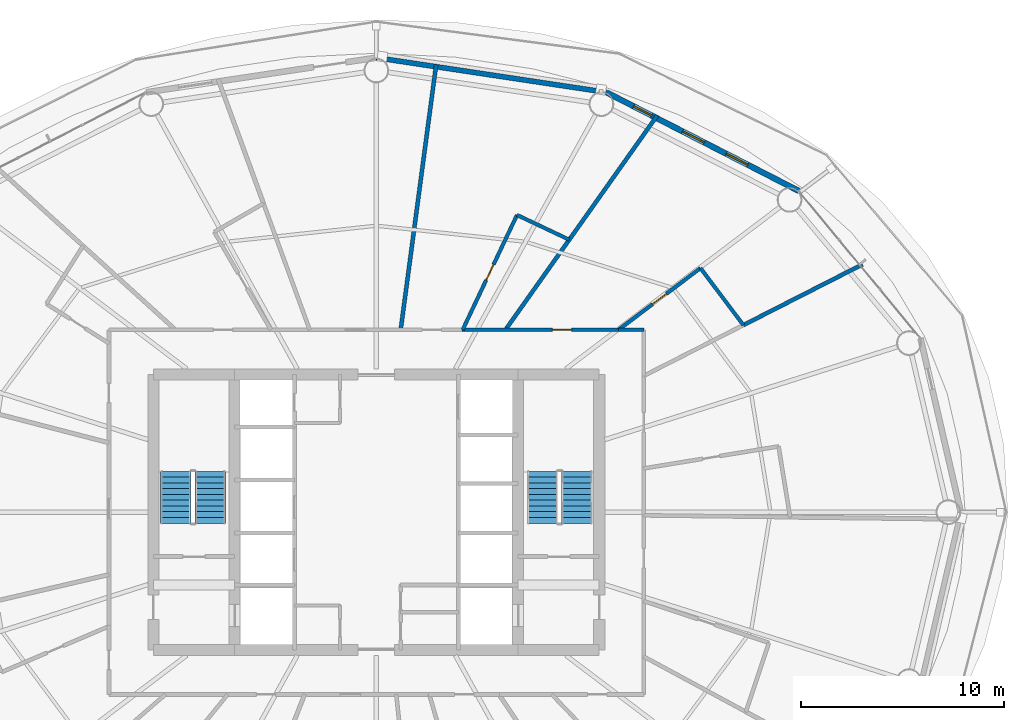
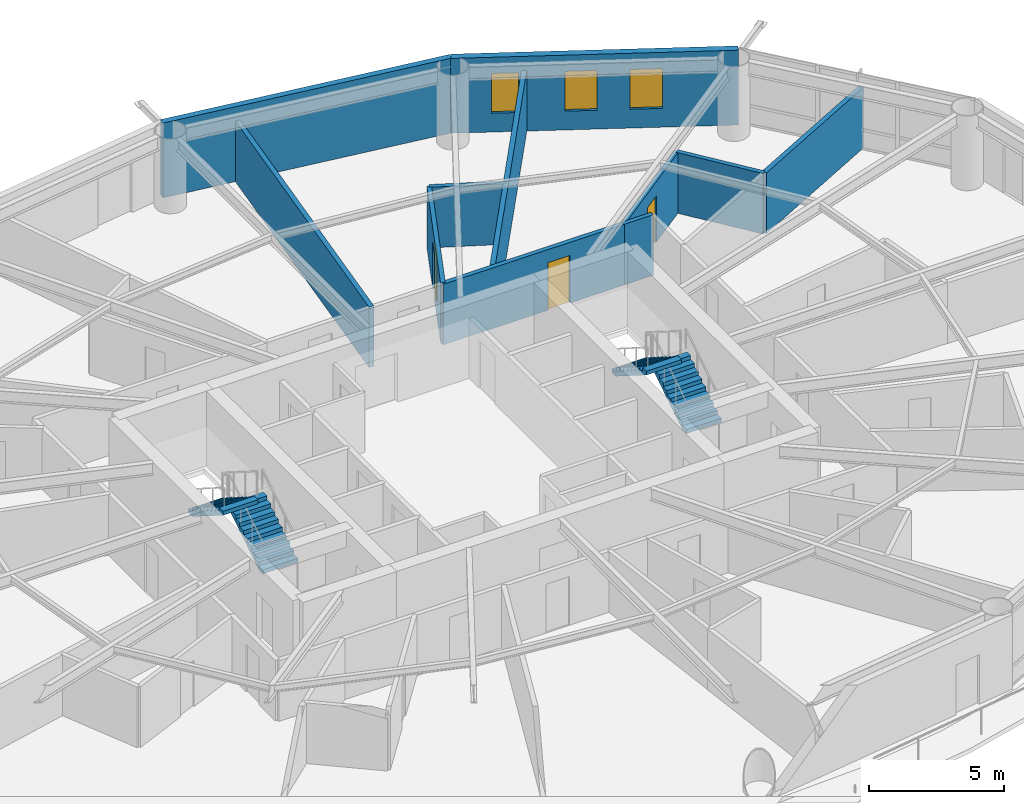
# One storey, part 21 of 24: 11 walls, 4 stair flights, 3 doors, 3 windows, 6 openings, 2 elements without a shape of their own.
"""IFC4 building model written with IfcOpenShell, lengths in metres."""

import ifcopenshell
import ifcopenshell.guid

model = None  # the IFC model being written
_history = None  # IfcOwnerHistory: only IFC2X3 demands one
_inside = {}  # id of a spatial element -> (the spatial element, [elements in it])
_under = {}  # id of a project, library or spatial element -> (it, [spatial elements below it])
_declared = {}  # id of a project -> (the project, [libraries it declares])
_typed = {}  # id of a type object -> (the type object, [elements of that type])
_made_of = {}  # id of a material, layer set ... -> (it, [elements and type objects made of it])


def new_model(schema):
    """Start an empty IFC model of exactly this schema.

    Asked for "IFC4X3", IfcOpenShell would pick the latest addendum, in which some entities
    have other attributes; the version numbers below select the first issue.
    IFC2X3 requires an IfcOwnerHistory on every rooted entity: one is made here for all.
    """
    global model, _history
    if schema == "IFC4X3":
        model = ifcopenshell.file(schema_version=(4, 3, 0, 0))
    else:
        model = ifcopenshell.file(schema=schema)
    _inside.clear()
    _under.clear()
    _declared.clear()
    _typed.clear()
    _made_of.clear()
    _history = None
    if model.schema == "IFC2X3":
        org = make("IfcOrganization", Name="unknown")
        user = make(
            "IfcPersonAndOrganization",
            ThePerson=make("IfcPerson", FamilyName="unknown"),
            TheOrganization=org,
        )
        app = make(
            "IfcApplication",
            ApplicationDeveloper=org,
            Version="unknown",
            ApplicationFullName="unknown",
            ApplicationIdentifier="unknown",
        )
        _history = make(
            "IfcOwnerHistory",
            OwningUser=user,
            OwningApplication=app,
            ChangeAction="ADDED",
            CreationDate=0,
        )
    return model


def make(cls, **values):
    """One entity of the class cls with the attributes given. An attribute that is None is left unset."""
    return model.create_entity(
        cls, **{name: value for name, value in values.items() if value is not None}
    )


def rooted(cls, **values):
    """An entity with a GlobalId (a new one), such as an element, a storey or a relation."""
    return make(cls, GlobalId=ifcopenshell.guid.new(), OwnerHistory=_history, **values)


def si_unit(unit_type, name, prefix=None):
    """IfcSIUnit, for example si_unit("LENGTHUNIT", "METRE", prefix="MILLI")."""
    return make("IfcSIUnit", UnitType=unit_type, Prefix=prefix, Name=name)


def assignment(units):
    """IfcUnitAssignment: the units of a project."""
    return None if units is None else make("IfcUnitAssignment", Units=units)


def point(xyz):
    """IfcCartesianPoint."""
    return None if xyz is None else make("IfcCartesianPoint", Coordinates=xyz)


def direction(xyz):
    """IfcDirection."""
    return None if xyz is None else make("IfcDirection", DirectionRatios=xyz)


def frame(location, z_axis=None, x_axis=None):
    """IfcAxis2Placement3D, a coordinate frame: its origin and axes. An axis left out is left unset."""
    return make(
        "IfcAxis2Placement3D",
        Location=point(location),
        Axis=direction(z_axis),
        RefDirection=direction(x_axis),
    )


def frame_2d(location, x_axis=None):
    """IfcAxis2Placement2D, a coordinate frame in the plane: its origin and x axis."""
    return make(
        "IfcAxis2Placement2D", Location=point(location), RefDirection=direction(x_axis)
    )


def origin():
    """The frame at (0, 0, 0) with its axes left unset."""
    return frame((0.0, 0.0, 0.0))


def place(relative_to, where):
    """IfcLocalPlacement: puts the frame where relative to a parent placement (None: the world)."""
    return make(
        "IfcLocalPlacement", PlacementRelTo=relative_to, RelativePlacement=where
    )


def context(
    kind, dimensions, precision=None, world=None, true_north=None, identifier=None
):
    """IfcGeometricRepresentationContext, for example the 3D "Model" context."""
    return make(
        "IfcGeometricRepresentationContext",
        ContextIdentifier=identifier,
        ContextType=kind,
        CoordinateSpaceDimension=dimensions,
        Precision=precision,
        WorldCoordinateSystem=world,
        TrueNorth=true_north,
    )


def subcontext(parent, identifier, kind, view, scale=None):
    """IfcGeometricRepresentationSubContext, for example "Body" below "Model"."""
    return make(
        "IfcGeometricRepresentationSubContext",
        ContextIdentifier=identifier,
        ContextType=kind,
        ParentContext=parent,
        TargetScale=scale,
        TargetView=view,
    )


def project(units=None, contexts=None):
    """IfcProject with its units and contexts."""
    return rooted(
        "IfcProject",
        Name="project",
        RepresentationContexts=contexts,
        UnitsInContext=assignment(units),
    )


def spatial(cls, under=None, at=None, **own):
    """A site, building, storey or space (cls), placed at a placement, below another one or the project."""
    s = rooted(cls, ObjectPlacement=at, **own)
    if under is not None:
        _under.setdefault(under.id(), (under, []))[1].append(s)
    return s


def polyline(points):
    """IfcPolyline through the points."""
    return make("IfcPolyline", Points=[point(p) for p in points])


def profile(cls, at=None, kind="AREA", **sizes):
    """A parametric profile (cls). Its sizes go by their IFC names, for example OverallWidth=200.0."""
    return make(cls, ProfileType=kind, Position=at, **sizes)


def rectangle(**sizes):
    """IfcRectangleProfileDef."""
    return profile("IfcRectangleProfileDef", **sizes)


def outline(outer, holes=None, kind="AREA"):
    """IfcArbitraryClosedProfileDef: a profile drawn as a closed curve; with holes, ...WithVoids."""
    if holes is None:
        return make("IfcArbitraryClosedProfileDef", ProfileType=kind, OuterCurve=outer)
    return make(
        "IfcArbitraryProfileDefWithVoids",
        ProfileType=kind,
        OuterCurve=outer,
        InnerCurves=holes,
    )


def extrude(swept, where, along, depth):
    """IfcExtrudedAreaSolid: the profile swept, set in the frame where, extruded along a direction by depth."""
    return make(
        "IfcExtrudedAreaSolid",
        SweptArea=swept,
        Position=where,
        ExtrudedDirection=direction(along),
        Depth=depth,
    )


def shape(context_of_items, identifier, shape_type, items):
    """IfcShapeRepresentation: the items that make up one representation, for example the "Body"."""
    return make(
        "IfcShapeRepresentation",
        ContextOfItems=context_of_items,
        RepresentationIdentifier=identifier,
        RepresentationType=shape_type,
        Items=items,
    )


def material(Name=None, Category=None):
    """IfcMaterial."""
    return make("IfcMaterial", Name=Name, Category=Category)


def layer(
    of_material, thickness, ventilated=None, Name=None, Category=None, Priority=None
):
    """IfcMaterialLayer: one layer of a wall or slab, of a material (None: an air gap)."""
    return make(
        "IfcMaterialLayer",
        Material=of_material,
        LayerThickness=thickness,
        IsVentilated=ventilated,
        Name=Name,
        Category=Category,
        Priority=Priority,
    )


def layer_set(layers, Name=None):
    """IfcMaterialLayerSet."""
    return make("IfcMaterialLayerSet", MaterialLayers=layers, LayerSetName=Name)


def made_of(thing, what):
    """Note that an element or type object is made of a material, layer set ...; save() writes the relation."""
    if what is not None:
        _made_of.setdefault(what.id(), (what, []))[1].append(thing)
    return thing


def type_object(cls, material=None, **own):
    """A type object (cls), such as IfcWallType, which elements share."""
    return made_of(rooted(cls, **own), material)


def element(
    cls,
    number,
    at=None,
    inside=None,
    cuts=None,
    type_object=None,
    material=None,
    context=None,
    identifier="Body",
    shape_type=None,
    held_by="IfcProductDefinitionShape",
    body=None,
    shapes=None,
    **own,
):
    """One element of the class cls, such as IfcWall. Its Tag is "e" and its number.

    at: its placement. inside: the storey or other place that contains it. cuts: it is an
    opening in that element (IfcRelVoidsElement). A single representation is given by context,
    identifier, shape_type and body (its items); several are given by shapes. held_by: the class
    of the entity that holds the representations. save() writes the other relations.
    """
    e = rooted(cls, Tag="e%d" % number, ObjectPlacement=at, **own)
    if body is not None:
        shapes = [shape(context, identifier, shape_type, body)]
    if shapes is not None:
        e.Representation = make(held_by, Representations=shapes)
    if inside is not None:
        _inside.setdefault(inside.id(), (inside, []))[1].append(e)
    if cuts is not None:
        rooted(
            "IfcRelVoidsElement", RelatingBuildingElement=cuts, RelatedOpeningElement=e
        )
    if type_object is not None:
        _typed.setdefault(type_object.id(), (type_object, []))[1].append(e)
    return made_of(e, material)


def fill(opening, filler):
    """IfcRelFillsElement: the door or window that sits in an opening."""
    return rooted(
        "IfcRelFillsElement",
        RelatingOpeningElement=opening,
        RelatedBuildingElement=filler,
    )


def aggregate(whole, parts):
    """IfcRelAggregates: a whole, such as a stair, and the parts it consists of."""
    return rooted("IfcRelAggregates", RelatingObject=whole, RelatedObjects=parts)


def save(model, path):
    """Write the relations noted so far, then the file.

    IfcRelAggregates (storeys below a building ...), IfcRelContainedInSpatialStructure (elements
    in a storey), IfcRelDefinesByType, IfcRelAssociatesMaterial and IfcRelDeclares: one each for
    every whole, place, type object, material and project.
    """
    for whole, parts in _under.values():
        aggregate(whole, parts)
    for where, things in _inside.values():
        rooted(
            "IfcRelContainedInSpatialStructure",
            RelatedElements=things,
            RelatingStructure=where,
        )
    for kind, things in _typed.values():
        rooted("IfcRelDefinesByType", RelatedObjects=things, RelatingType=kind)
    for what, things in _made_of.values():
        rooted("IfcRelAssociatesMaterial", RelatedObjects=things, RelatingMaterial=what)
    for by, libraries in _declared.values():
        rooted("IfcRelDeclares", RelatingContext=by, RelatedDefinitions=libraries)
    model.write(path)


model = new_model("IFC4")

# Units and contexts
model_context = context("Model", 3, precision=1e-05, world=origin(), true_north=direction((0.0, 1.0)))
body_context = subcontext(model_context, "Body", "Model", "MODEL_VIEW")
ifc_project = project(units=[si_unit("LENGTHUNIT", "METRE"), si_unit("AREAUNIT", "SQUARE_METRE"), si_unit("VOLUMEUNIT", "CUBIC_METRE"), si_unit("PLANEANGLEUNIT", "RADIAN"), si_unit("MASSUNIT", "GRAM", prefix="KILO")], contexts=[model_context])

# Site, building, storey
site_placement = place(None, origin())
site = spatial("IfcSite", under=ifc_project, at=site_placement, CompositionType="ELEMENT")
building_placement = place(site_placement, origin())
building = spatial("IfcBuilding", under=site, at=building_placement, Name="Sarneth Arch Tower", CompositionType="ELEMENT")
storey_placement = place(building_placement, frame((0.0, 0.0, 109.199951171875)))
storey = spatial("IfcBuildingStorey", under=building, at=storey_placement, Name="L27", CompositionType="ELEMENT", Elevation=109.199951171875)

# Wall, opening, door
ifc_material_1 = material(Name="Double steel-stud corridor fire wall", Category="steel")
ifc_layer_1 = layer(ifc_material_1, 0.18994140625)
ifc_layer_set_1 = layer_set([ifc_layer_1], Name="Double steel-stud corridor fire wall")
wall_type_1 = type_object("IfcWallType", Name="WALL-CORR-190", PredefinedType="PARTITIONING", material=ifc_layer_set_1)
wall_1_placement = place(storey_placement, frame((59.956787109375, 51.0, 0.0), z_axis=(0.0, 0.0, 1.0), x_axis=(-1.0, 0.0, 0.0)))
wall_1 = element("IfcWall", 1, at=wall_1_placement, inside=storey, type_object=wall_type_1, Name="L27 Interior partition W-L27-TP-001", PredefinedType="PARTITIONING", context=body_context, shape_type="SweptSolid", body=[
    extrude(rectangle(XDim=7.73046875, YDim=0.18994140625, at=frame_2d((3.865234375, 0.0))), origin(), (0.0, 0.0, 1.0), 2.739990234375),
])
opening_1_placement = place(wall_1_placement, frame((2.31640625, 0.0, 0.0)))
opening_1 = element("IfcOpeningElement", 2, at=opening_1_placement, cuts=wall_1, Name="Opening FD-09", PredefinedType="OPENING", context=body_context, shape_type="SweptSolid", body=[
    extrude(rectangle(XDim=0.949951171875, YDim=2.14990234375, at=frame_2d((0.47509765625, 1.074951171875))), frame((0.0, 0.10498046875, 0.0), z_axis=(0.0, -1.0, 0.0), x_axis=(1.0, 0.0, 0.0)), (0.0, 0.0, 1.0), 0.2099609375),
])
ifc_material_2 = material(Name="Hardwood timber hotel entrance fire door", Category="wood")
door_type_1 = type_object("IfcDoorType", Name="DR-FD60-950", OperationType="SINGLE_SWING_RIGHT", PredefinedType="DOOR", material=ifc_material_2)
door_1_placement = place(opening_1_placement, origin())
door_1 = element("IfcDoor", 3, at=door_1_placement, inside=storey, type_object=door_type_1, Name="L27 Interior door DR-L27-KEY-01", OperationType="SINGLE_SWING_LEFT", OverallHeight=2.14990234375, OverallWidth=0.949951171875, PredefinedType="DOOR", context=body_context, shape_type="SweptSolid", body=[
    extrude(rectangle(XDim=0.949951171875, YDim=2.14990234375, at=frame_2d((0.47509765625, 1.074951171875))), frame((0.0, 0.02490234375, 0.0), z_axis=(0.0, -1.0, 0.0), x_axis=(1.0, 0.0, 0.0)), (0.0, 0.0, 1.0), 0.050048828125),
])
fill(opening_1, door_1)

# Wall
ifc_material_3 = material(Name="Extruded terracotta rainscreen on Concrete C40/50 backing", Category="masonry")
ifc_layer_2 = layer(ifc_material_3, 0.25)
ifc_layer_set_2 = layer_set([ifc_layer_2], Name="Extruded terracotta rainscreen on Concrete C40/50 backing")
wall_type_2 = type_object("IfcWallType", Name="WALL-EXT-SPAND-250", PredefinedType="SOLIDWALL", material=ifc_layer_set_2)
wall_2_placement = place(storey_placement, frame((59.351318359375, 62.72265625, 0.0), z_axis=(0.0, 0.0, 1.0), x_axis=(-0.988877774656, 0.148730450117, 0.0)))
element("IfcWall", 4, at=wall_2_placement, inside=storey, type_object=wall_type_2, Name="L27 Terracotta perimeter wall 04", PredefinedType="SOLIDWALL", context=body_context, shape_type="SweptSolid", body=[
    extrude(rectangle(XDim=11.47900390625, YDim=0.25, at=frame_2d((5.739501953125, 0.0))), origin(), (0.0, 0.0, 1.0), 3.380126953125),
])

# Wall, openings, windows
ifc_material_4 = material(Name="Extruded terracotta rainscreen on Concrete C40/50 backing", Category="masonry")
ifc_layer_3 = layer(ifc_material_4, 0.280029296875)
ifc_layer_set_3 = layer_set([ifc_layer_3], Name="Extruded terracotta rainscreen on Concrete C40/50 backing")
wall_type_3 = type_object("IfcWallType", Name="WALL-EXT-TERRA-280", PredefinedType="SOLIDWALL", material=ifc_layer_set_3)
wall_3_placement = place(storey_placement, frame((68.840087890625, 57.8603515625, 0.0), z_axis=(0.0, 0.0, 1.0), x_axis=(-0.889959505023, 0.45603955905, 0.0)))
wall_3 = element("IfcWall", 5, at=wall_3_placement, inside=storey, type_object=wall_type_3, Name="L27 Terracotta perimeter wall 03", PredefinedType="SOLIDWALL", context=body_context, shape_type="SweptSolid", body=[
    extrude(rectangle(XDim=10.662109375, YDim=0.280029296875, at=frame_2d((5.3310546875, 0.0))), origin(), (0.0, 0.0, 1.0), 3.380126953125),
])
opening_2_placement = place(wall_3_placement, frame((2.811279296875, 0.0, 0.85009765625)))
opening_2 = element("IfcOpeningElement", 6, at=opening_2_placement, cuts=wall_3, Name="Opening W-09", PredefinedType="OPENING", context=body_context, shape_type="SweptSolid", body=[
    extrude(rectangle(XDim=1.199951171875, YDim=1.800048828125, at=frame_2d((0.60009765625, 0.89990234375))), frame((0.0, 0.14990234375, 0.0), z_axis=(0.0, -1.0, 0.0), x_axis=(1.0, 0.0, 0.0)), (0.0, 0.0, 1.0), 0.300048828125),
])
opening_3_placement = place(wall_3_placement, frame((5.232421875, 0.0, 0.85009765625)))
opening_3 = element("IfcOpeningElement", 7, at=opening_3_placement, cuts=wall_3, Name="Opening W-09", PredefinedType="OPENING", context=body_context, shape_type="SweptSolid", body=[
    extrude(rectangle(XDim=1.199951171875, YDim=1.800048828125, at=frame_2d((0.60009765625, 0.89990234375))), frame((0.0, 0.14990234375, 0.0), z_axis=(0.0, -1.0, 0.0), x_axis=(1.0, 0.0, 0.0)), (0.0, 0.0, 1.0), 0.300048828125),
])
opening_4_placement = place(wall_3_placement, frame((8.141845703125, 0.0, 0.85009765625)))
opening_4 = element("IfcOpeningElement", 8, at=opening_4_placement, cuts=wall_3, Name="Opening W-11", PredefinedType="OPENING", context=body_context, shape_type="SweptSolid", body=[
    extrude(rectangle(XDim=1.0, YDim=1.800048828125, at=frame_2d((0.5, 0.89990234375))), frame((0.0, 0.14990234375, 0.0), z_axis=(0.0, -1.0, 0.0), x_axis=(1.0, 0.0, 0.0)), (0.0, 0.0, 1.0), 0.300048828125),
])
ifc_material_5 = material(Name="Thermally broken Aluminium 6063-T6 and low-e laminated IGU", Category="aluminium")
window_type_1 = type_object("IfcWindowType", Name="WIN-TWR-1000x1800", PartitioningType="SINGLE_PANEL", PredefinedType="WINDOW", material=ifc_material_5)
window_1_placement = place(opening_4_placement, origin())
window_1 = element("IfcWindow", 9, at=window_1_placement, inside=storey, type_object=window_type_1, Name="L27 Dwelling bedroom window 01", OverallHeight=1.800048828125, OverallWidth=1.0, PartitioningType="SINGLE_PANEL", PredefinedType="WINDOW", context=body_context, shape_type="SweptSolid", body=[
    extrude(rectangle(XDim=1.0, YDim=1.800048828125, at=frame_2d((0.5, 0.89990234375))), frame((0.0, 0.030029296875, 0.0), z_axis=(0.0, -1.0, 0.0), x_axis=(1.0, 0.0, 0.0)), (0.0, 0.0, 1.0), 0.06005859375),
])
fill(opening_4, window_1)
ifc_material_6 = material(Name="Thermally broken Aluminium 6063-T6 and low-e laminated IGU", Category="aluminium")
window_type_2 = type_object("IfcWindowType", Name="WIN-TWR-1200x1800", PartitioningType="SINGLE_PANEL", PredefinedType="WINDOW", material=ifc_material_6)
window_2_placement = place(opening_2_placement, origin())
window_2 = element("IfcWindow", 10, at=window_2_placement, inside=storey, type_object=window_type_2, Name="L27 Exterior window 03A", OverallHeight=1.800048828125, OverallWidth=1.199951171875, PartitioningType="SINGLE_PANEL", PredefinedType="WINDOW", context=body_context, shape_type="SweptSolid", body=[
    extrude(rectangle(XDim=1.199951171875, YDim=1.800048828125, at=frame_2d((0.60009765625, 0.89990234375))), frame((0.0, 0.030029296875, 0.0), z_axis=(0.0, -1.0, 0.0), x_axis=(1.0, 0.0, 0.0)), (0.0, 0.0, 1.0), 0.06005859375),
])
fill(opening_2, window_2)
window_3_placement = place(opening_3_placement, origin())
window_3 = element("IfcWindow", 11, at=window_3_placement, inside=storey, type_object=window_type_2, Name="L27 Exterior window 03B", OverallHeight=1.800048828125, OverallWidth=1.199951171875, PartitioningType="SINGLE_PANEL", PredefinedType="WINDOW", context=body_context, shape_type="SweptSolid", body=[
    extrude(rectangle(XDim=1.199951171875, YDim=1.800048828125, at=frame_2d((0.60009765625, 0.89990234375))), frame((0.0, 0.030029296875, 0.0), z_axis=(0.0, -1.0, 0.0), x_axis=(1.0, 0.0, 0.0)), (0.0, 0.0, 1.0), 0.06005859375),
])
fill(opening_3, window_3)

# Wall, opening, door
ifc_material_7 = material(Name="Moisture-resistant plumbing chase wall", Category="gypsum")
ifc_layer_4 = layer(ifc_material_7, 0.179931640625)
ifc_layer_set_4 = layer_set([ifc_layer_4], Name="Moisture-resistant plumbing chase wall")
wall_type_4 = type_object("IfcWallType", Name="WALL-PLUMB-180", PredefinedType="PLUMBINGWALL", material=ifc_layer_set_4)
wall_4_placement = place(storey_placement, frame((54.944580078125, 56.666259765625, 0.0), z_axis=(0.0, 0.0, 1.0), x_axis=(-0.427935680108, -0.903809190975, 0.0)))
wall_4 = element("IfcWall", 12, at=wall_4_placement, inside=storey, type_object=wall_type_4, Name="L27 Interior partition W-L27-TP-035", PredefinedType="PLUMBINGWALL", context=body_context, shape_type="SweptSolid", body=[
    extrude(rectangle(XDim=6.269287109375, YDim=0.179931640625, at=frame_2d((3.134765625, 0.0))), origin(), (0.0, 0.0, 1.0), 2.739990234375),
])
opening_5_placement = place(wall_4_placement, frame((2.709716796875, 0.0, 0.0)))
opening_5 = element("IfcOpeningElement", 13, at=opening_5_placement, cuts=wall_4, Name="Opening ID-02", PredefinedType="OPENING", context=body_context, shape_type="SweptSolid", body=[
    extrude(rectangle(XDim=0.85009765625, YDim=2.10009765625, at=frame_2d((0.425048828125, 1.050048828125))), frame((0.0, 0.099853515625, 0.0), z_axis=(0.0, -1.0, 0.0), x_axis=(1.0, 0.0, 0.0)), (0.0, 0.0, 1.0), 0.199951171875),
])
ifc_material_8 = material(Name="Moisture-resistant bathroom timber door", Category="wood")
door_type_2 = type_object("IfcDoorType", Name="DR-INT-850", OperationType="SINGLE_SWING_RIGHT", PredefinedType="DOOR", material=ifc_material_8)
door_2_placement = place(opening_5_placement, origin())
door_2 = element("IfcDoor", 14, at=door_2_placement, inside=storey, type_object=door_type_2, Name="L27 Interior door DR-L27-ENS-02", OperationType="SINGLE_SWING_RIGHT", OverallHeight=2.10009765625, OverallWidth=0.85009765625, PredefinedType="DOOR", context=body_context, shape_type="SweptSolid", body=[
    extrude(rectangle(XDim=0.85009765625, YDim=2.10009765625, at=frame_2d((0.425048828125, 1.050048828125))), frame((0.0, 0.02490234375, 0.0), z_axis=(0.0, -1.0, 0.0), x_axis=(1.0, 0.0, 0.0)), (0.0, 0.0, 1.0), 0.050048828125),
])
fill(opening_5, door_2)

wall_5_placement = place(storey_placement, frame((59.956787109375, 51.0, 0.0), z_axis=(0.0, 0.0, 1.0), x_axis=(0.798951197172, 0.601395863419, 0.0)))
wall_5 = element("IfcWall", 15, at=wall_5_placement, inside=storey, type_object=wall_type_4, Name="L27 Interior partition W-L27-TP-028", PredefinedType="PLUMBINGWALL", context=body_context, shape_type="SweptSolid", body=[
    extrude(rectangle(XDim=5.061767578125, YDim=0.179931640625, at=frame_2d((2.53076171875, 0.0))), origin(), (0.0, 0.0, 1.0), 2.739990234375),
])
opening_6_placement = place(wall_5_placement, frame((2.10595703125, 0.0, 0.0)))
opening_6 = element("IfcOpeningElement", 16, at=opening_6_placement, cuts=wall_5, Name="Opening ID-02", PredefinedType="OPENING", context=body_context, shape_type="SweptSolid", body=[
    extrude(rectangle(XDim=0.85009765625, YDim=2.10009765625, at=frame_2d((0.425048828125, 1.050048828125))), frame((0.0, 0.099853515625, 0.0), z_axis=(0.0, -1.0, 0.0), x_axis=(1.0, 0.0, 0.0)), (0.0, 0.0, 1.0), 0.199951171875),
])
door_3_placement = place(opening_6_placement, origin())
door_3 = element("IfcDoor", 17, at=door_3_placement, inside=storey, type_object=door_type_2, Name="L27 Interior door DR-L27-ENS-01", OperationType="SINGLE_SWING_RIGHT", OverallHeight=2.10009765625, OverallWidth=0.85009765625, PredefinedType="DOOR", context=body_context, shape_type="SweptSolid", body=[
    extrude(rectangle(XDim=0.85009765625, YDim=2.10009765625, at=frame_2d((0.425048828125, 1.050048828125))), frame((0.0, 0.02490234375, 0.0), z_axis=(0.0, -1.0, 0.0), x_axis=(1.0, 0.0, 0.0)), (0.0, 0.0, 1.0), 0.050048828125),
])
fill(opening_6, door_3)

# Walls
wall_6_placement = place(storey_placement, frame((64.0009765625, 54.044189453125, 0.0), z_axis=(0.0, 0.0, 1.0), x_axis=(0.601341788725, -0.79899189804, 0.0)))
element("IfcWall", 18, at=wall_6_placement, inside=storey, type_object=wall_type_4, Name="L27 Interior partition W-L27-TP-029", PredefinedType="PLUMBINGWALL", context=body_context, shape_type="SweptSolid", body=[
    extrude(rectangle(XDim=3.520263671875, YDim=0.179931640625, at=frame_2d((1.76025390625, 0.0))), origin(), (0.0, 0.0, 1.0), 2.739990234375),
])
wall_7_placement = place(storey_placement, frame((57.522705078125, 55.445556640625, 0.0), z_axis=(0.0, 0.0, 1.0), x_axis=(-0.90380753646, 0.42793917446, 0.0)))
element("IfcWall", 19, at=wall_7_placement, inside=storey, type_object=wall_type_4, Name="L27 Interior partition W-L27-TP-034", PredefinedType="PLUMBINGWALL", context=body_context, shape_type="SweptSolid", body=[
    extrude(rectangle(XDim=2.8525390625, YDim=0.179931640625, at=frame_2d((1.42626953125, 0.0))), origin(), (0.0, 0.0, 1.0), 2.739990234375),
])
wall_8_placement = place(storey_placement, frame((61.199951171875, 51.0, 0.0), z_axis=(0.0, 0.0, 1.0), x_axis=(-1.0, 0.0, 0.0)))
element("IfcWall", 20, at=wall_8_placement, inside=storey, type_object=wall_type_4, Name="L27 Interior partition W-L27-TP-003", PredefinedType="PLUMBINGWALL", context=body_context, shape_type="SweptSolid", body=[
    extrude(rectangle(XDim=1.2431640625, YDim=0.179931640625, at=frame_2d((0.62158203125, 0.0))), origin(), (0.0, 0.0, 1.0), 2.739990234375),
])
ifc_material_9 = material(Name="Double steel-stud acoustic drywall", Category="steel")
ifc_layer_5 = layer(ifc_material_9, 0.199951171875)
ifc_layer_set_5 = layer_set([ifc_layer_5], Name="Double steel-stud acoustic drywall")
wall_type_5 = type_object("IfcWallType", Name="WALL-UNIT-200", PredefinedType="PARTITIONING", material=ifc_layer_set_5)
wall_9_placement = place(storey_placement, frame((50.955810546875, 64.106689453125, 0.0), z_axis=(0.0, 0.0, 1.0), x_axis=(-0.132526518831, -0.99117945994, 0.0)))
element("IfcWall", 21, at=wall_9_placement, inside=storey, type_object=wall_type_5, Name="L27 Interior partition W-L27-TP-036", PredefinedType="PARTITIONING", context=body_context, shape_type="SweptSolid", body=[
    extrude(rectangle(XDim=13.223388671875, YDim=0.199951171875, at=frame_2d((6.61181640625, 0.0))), origin(), (0.0, 0.0, 1.0), 2.739990234375),
])
wall_10_placement = place(storey_placement, frame((54.374267578125, 51.0, 0.0), z_axis=(0.0, 0.0, 1.0), x_axis=(0.577967135411, 0.816060040919, 0.0)))
element("IfcWall", 22, at=wall_10_placement, inside=storey, type_object=wall_type_5, Name="L27 Interior partition W-L27-TP-030", PredefinedType="PARTITIONING", context=body_context, shape_type="SweptSolid", body=[
    extrude(rectangle(XDim=12.952880859375, YDim=0.199951171875, at=frame_2d((6.4765625, 0.0))), origin(), (0.0, 0.0, 1.0), 2.739990234375),
])
wall_11_placement = place(storey_placement, frame((71.998046875, 54.2275390625, 0.0), z_axis=(0.0, 0.0, 1.0), x_axis=(-0.891005333778, -0.453992836044, 0.0)))
element("IfcWall", 23, at=wall_11_placement, inside=storey, type_object=wall_type_5, Name="L27 Interior partition W-L27-TP-032", PredefinedType="PARTITIONING", context=body_context, shape_type="SweptSolid", body=[
    extrude(rectangle(XDim=6.599365234375, YDim=0.199951171875, at=frame_2d((3.2998046875, 0.0))), origin(), (0.0, 0.0, 1.0), 2.739990234375),
])

# Stair, stair flights
ifc_material_10 = material(Name="Concrete C50/60", Category="concrete")
stair_type = type_object("IfcStairType", Name="STAIR-CORE-RC", PredefinedType="HALF_TURN_STAIR", material=ifc_material_10)
stair_1_placement = place(storey_placement, origin())
stair_1 = element("IfcStair", 24, at=stair_1_placement, inside=storey, type_object=stair_type, Name="L27 Core Exit Stair 1", PredefinedType="HALF_TURN_STAIR")
ifc_material_11 = material(Name="Concrete C50/60", Category="concrete")
stair_flight_type = type_object("IfcStairFlightType", Name="FLIGHT-RC-1500", PredefinedType="STRAIGHT", material=ifc_material_11)
stair_flight_1_placement = place(storey_placement, frame((39.800048828125, 41.449951171875, 0.0), z_axis=(0.0, 0.0, 1.0), x_axis=(0.0, 1.0, 0.0)))
stair_flight_1 = element("IfcStairFlight", 25, at=stair_flight_1_placement, type_object=stair_flight_type, Name="ST-1 flight 1", NumberOfRisers=10, NumberOfTreads=9, PredefinedType="STRAIGHT", RiserHeight=0.18, TreadLength=0.285, context=body_context, shape_type="SweptSolid", body=[
    extrude(outline(polyline([(0.0, 0.0), (0.0, 0.179931640625), (0.284912109375, 0.179931640625), (0.284912109375, 0.360107421875), (0.570068359375, 0.360107421875), (0.570068359375, 0.5400390625), (0.85498046875, 0.5400390625), (0.85498046875, 0.719970703125), (1.139892578125, 0.719970703125), (1.139892578125, 0.89990234375), (1.425048828125, 0.89990234375), (1.425048828125, 1.080078125), (1.7099609375, 1.080078125), (1.7099609375, 1.260009765625), (1.9951171875, 1.260009765625), (1.9951171875, 1.43994140625), (2.280029296875, 1.43994140625), (2.280029296875, 1.6201171875), (2.56494140625, 1.6201171875), (2.56494140625, 1.800048828125), (2.56494140625, 1.442626953125), (0.28076171875, 0.0), (0.0, 0.0)])), frame((0.0, 0.75, 0.0), z_axis=(0.0, -1.0, 0.0), x_axis=(1.0, 0.0, 0.0)), (0.0, 0.0, 1.0), 1.5),
])
stair_flight_2_placement = place(storey_placement, frame((38.10009765625, 44.014892578125, 1.800048828125), z_axis=(0.0, 0.0, 1.0), x_axis=(0.0, -1.0, 0.0)))
stair_flight_2 = element("IfcStairFlight", 26, at=stair_flight_2_placement, type_object=stair_flight_type, Name="ST-1 flight 2", NumberOfRisers=10, NumberOfTreads=9, PredefinedType="STRAIGHT", RiserHeight=0.18, TreadLength=0.285, context=body_context, shape_type="SweptSolid", body=[
    extrude(outline(polyline([(0.0, 0.0), (0.0, 0.179931640625), (0.284912109375, 0.179931640625), (0.284912109375, 0.360107421875), (0.570068359375, 0.360107421875), (0.570068359375, 0.5400390625), (0.85498046875, 0.5400390625), (0.85498046875, 0.719970703125), (1.139892578125, 0.719970703125), (1.139892578125, 0.89990234375), (1.425048828125, 0.89990234375), (1.425048828125, 1.080078125), (1.7099609375, 1.080078125), (1.7099609375, 1.260009765625), (1.9951171875, 1.260009765625), (1.9951171875, 1.43994140625), (2.280029296875, 1.43994140625), (2.280029296875, 1.6201171875), (2.56494140625, 1.6201171875), (2.56494140625, 1.800048828125), (2.56494140625, 1.442626953125), (0.28076171875, 0.0), (0.0, 0.0)])), frame((0.0, 0.75, 0.0), z_axis=(0.0, -1.0, 0.0), x_axis=(1.0, 0.0, 0.0)), (0.0, 0.0, 1.0), 1.5),
])
aggregate(stair_1, [stair_flight_1, stair_flight_2])

stair_2_placement = place(storey_placement, origin())
stair_2 = element("IfcStair", 27, at=stair_2_placement, inside=storey, type_object=stair_type, Name="L27 Core Exit Stair 2", PredefinedType="HALF_TURN_STAIR")
stair_flight_3_placement = place(storey_placement, frame((57.89990234375, 41.449951171875, 0.0), z_axis=(0.0, 0.0, 1.0), x_axis=(0.0, 1.0, 0.0)))
stair_flight_3 = element("IfcStairFlight", 28, at=stair_flight_3_placement, type_object=stair_flight_type, Name="ST-2 flight 1", NumberOfRisers=10, NumberOfTreads=9, PredefinedType="STRAIGHT", RiserHeight=0.18, TreadLength=0.285, context=body_context, shape_type="SweptSolid", body=[
    extrude(outline(polyline([(0.0, 0.0), (0.0, 0.179931640625), (0.284912109375, 0.179931640625), (0.284912109375, 0.360107421875), (0.570068359375, 0.360107421875), (0.570068359375, 0.5400390625), (0.85498046875, 0.5400390625), (0.85498046875, 0.719970703125), (1.139892578125, 0.719970703125), (1.139892578125, 0.89990234375), (1.425048828125, 0.89990234375), (1.425048828125, 1.080078125), (1.7099609375, 1.080078125), (1.7099609375, 1.260009765625), (1.9951171875, 1.260009765625), (1.9951171875, 1.43994140625), (2.280029296875, 1.43994140625), (2.280029296875, 1.6201171875), (2.56494140625, 1.6201171875), (2.56494140625, 1.800048828125), (2.56494140625, 1.442626953125), (0.28076171875, 0.0), (0.0, 0.0)])), frame((0.0, 0.75, 0.0), z_axis=(0.0, -1.0, 0.0), x_axis=(1.0, 0.0, 0.0)), (0.0, 0.0, 1.0), 1.5),
])
stair_flight_4_placement = place(storey_placement, frame((56.199951171875, 44.014892578125, 1.800048828125), z_axis=(0.0, 0.0, 1.0), x_axis=(0.0, -1.0, 0.0)))
stair_flight_4 = element("IfcStairFlight", 29, at=stair_flight_4_placement, type_object=stair_flight_type, Name="ST-2 flight 2", NumberOfRisers=10, NumberOfTreads=9, PredefinedType="STRAIGHT", RiserHeight=0.18, TreadLength=0.285, context=body_context, shape_type="SweptSolid", body=[
    extrude(outline(polyline([(0.0, 0.0), (0.0, 0.179931640625), (0.284912109375, 0.179931640625), (0.284912109375, 0.360107421875), (0.570068359375, 0.360107421875), (0.570068359375, 0.5400390625), (0.85498046875, 0.5400390625), (0.85498046875, 0.719970703125), (1.139892578125, 0.719970703125), (1.139892578125, 0.89990234375), (1.425048828125, 0.89990234375), (1.425048828125, 1.080078125), (1.7099609375, 1.080078125), (1.7099609375, 1.260009765625), (1.9951171875, 1.260009765625), (1.9951171875, 1.43994140625), (2.280029296875, 1.43994140625), (2.280029296875, 1.6201171875), (2.56494140625, 1.6201171875), (2.56494140625, 1.800048828125), (2.56494140625, 1.442626953125), (0.28076171875, 0.0), (0.0, 0.0)])), frame((0.0, 0.75, 0.0), z_axis=(0.0, -1.0, 0.0), x_axis=(1.0, 0.0, 0.0)), (0.0, 0.0, 1.0), 1.5),
])
aggregate(stair_2, [stair_flight_3, stair_flight_4])

save(model, "model.ifc")
